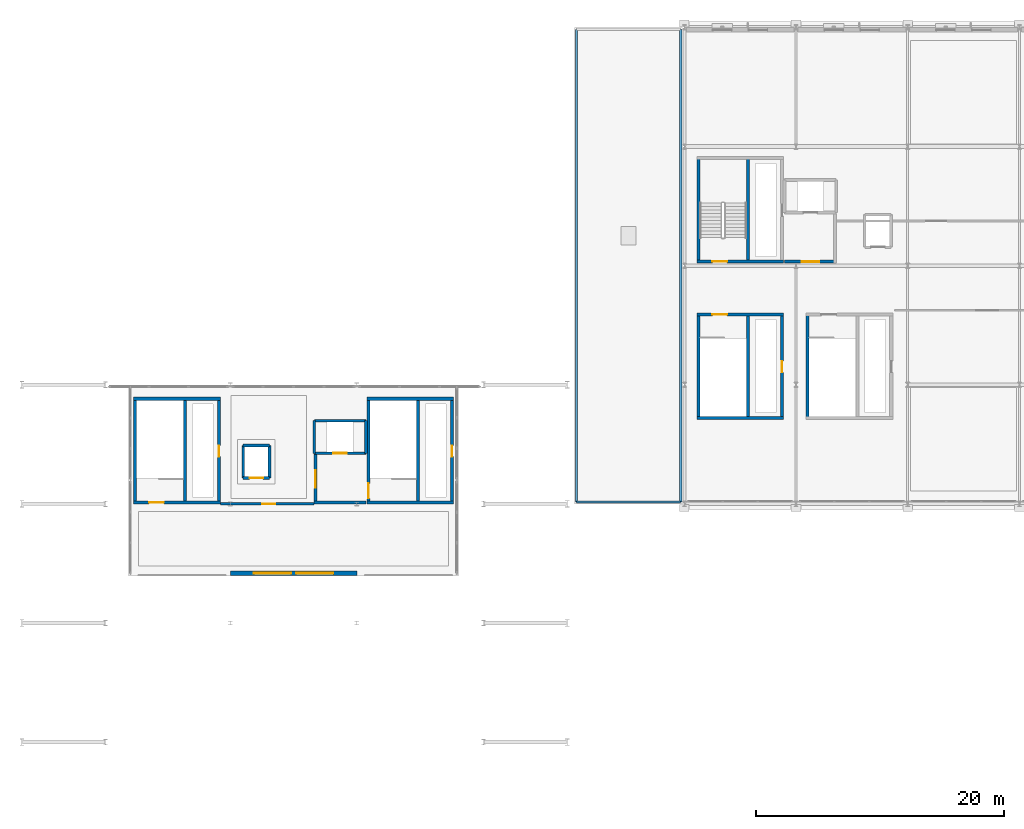
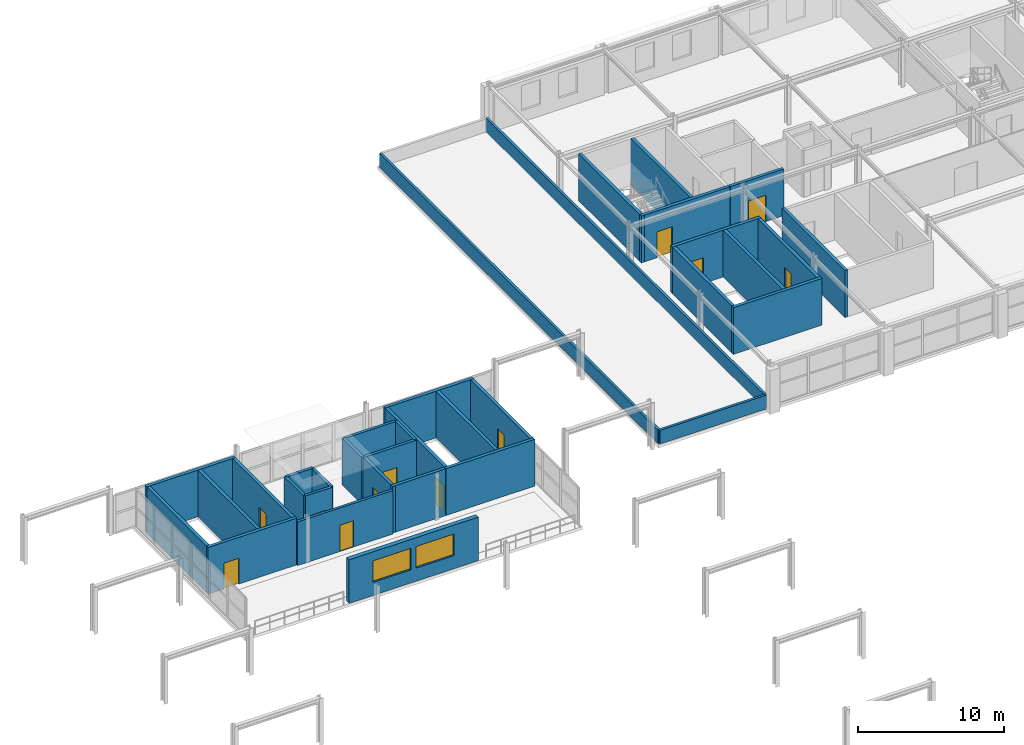
# One storey, part 37 of 52: 35 walls, 12 doors, 2 windows, 14 openings.
"""IFC4 building model written with IfcOpenShell, lengths in metres."""

import ifcopenshell
import ifcopenshell.guid

model = None  # the IFC model being written
_history = None  # IfcOwnerHistory: only IFC2X3 demands one
_inside = {}  # id of a spatial element -> (the spatial element, [elements in it])
_under = {}  # id of a project, library or spatial element -> (it, [spatial elements below it])
_declared = {}  # id of a project -> (the project, [libraries it declares])
_typed = {}  # id of a type object -> (the type object, [elements of that type])
_made_of = {}  # id of a material, layer set ... -> (it, [elements and type objects made of it])


def new_model(schema):
    """Start an empty IFC model of exactly this schema.

    Asked for "IFC4X3", IfcOpenShell would pick the latest addendum, in which some entities
    have other attributes; the version numbers below select the first issue.
    IFC2X3 requires an IfcOwnerHistory on every rooted entity: one is made here for all.
    """
    global model, _history
    if schema == "IFC4X3":
        model = ifcopenshell.file(schema_version=(4, 3, 0, 0))
    else:
        model = ifcopenshell.file(schema=schema)
    _inside.clear()
    _under.clear()
    _declared.clear()
    _typed.clear()
    _made_of.clear()
    _history = None
    if model.schema == "IFC2X3":
        org = make("IfcOrganization", Name="unknown")
        user = make(
            "IfcPersonAndOrganization",
            ThePerson=make("IfcPerson", FamilyName="unknown"),
            TheOrganization=org,
        )
        app = make(
            "IfcApplication",
            ApplicationDeveloper=org,
            Version="unknown",
            ApplicationFullName="unknown",
            ApplicationIdentifier="unknown",
        )
        _history = make(
            "IfcOwnerHistory",
            OwningUser=user,
            OwningApplication=app,
            ChangeAction="ADDED",
            CreationDate=0,
        )
    return model


def make(cls, **values):
    """One entity of the class cls with the attributes given. An attribute that is None is left unset."""
    return model.create_entity(
        cls, **{name: value for name, value in values.items() if value is not None}
    )


def rooted(cls, **values):
    """An entity with a GlobalId (a new one), such as an element, a storey or a relation."""
    return make(cls, GlobalId=ifcopenshell.guid.new(), OwnerHistory=_history, **values)


def si_unit(unit_type, name, prefix=None):
    """IfcSIUnit, for example si_unit("LENGTHUNIT", "METRE", prefix="MILLI")."""
    return make("IfcSIUnit", UnitType=unit_type, Prefix=prefix, Name=name)


def assignment(units):
    """IfcUnitAssignment: the units of a project."""
    return None if units is None else make("IfcUnitAssignment", Units=units)


def point(xyz):
    """IfcCartesianPoint."""
    return None if xyz is None else make("IfcCartesianPoint", Coordinates=xyz)


def direction(xyz):
    """IfcDirection."""
    return None if xyz is None else make("IfcDirection", DirectionRatios=xyz)


def frame(location, z_axis=None, x_axis=None):
    """IfcAxis2Placement3D, a coordinate frame: its origin and axes. An axis left out is left unset."""
    return make(
        "IfcAxis2Placement3D",
        Location=point(location),
        Axis=direction(z_axis),
        RefDirection=direction(x_axis),
    )


def frame_2d(location, x_axis=None):
    """IfcAxis2Placement2D, a coordinate frame in the plane: its origin and x axis."""
    return make(
        "IfcAxis2Placement2D", Location=point(location), RefDirection=direction(x_axis)
    )


def origin():
    """The frame at (0, 0, 0) with its axes left unset."""
    return frame((0.0, 0.0, 0.0))


def place(relative_to, where):
    """IfcLocalPlacement: puts the frame where relative to a parent placement (None: the world)."""
    return make(
        "IfcLocalPlacement", PlacementRelTo=relative_to, RelativePlacement=where
    )


def context(
    kind, dimensions, precision=None, world=None, true_north=None, identifier=None
):
    """IfcGeometricRepresentationContext, for example the 3D "Model" context."""
    return make(
        "IfcGeometricRepresentationContext",
        ContextIdentifier=identifier,
        ContextType=kind,
        CoordinateSpaceDimension=dimensions,
        Precision=precision,
        WorldCoordinateSystem=world,
        TrueNorth=true_north,
    )


def subcontext(parent, identifier, kind, view, scale=None):
    """IfcGeometricRepresentationSubContext, for example "Body" below "Model"."""
    return make(
        "IfcGeometricRepresentationSubContext",
        ContextIdentifier=identifier,
        ContextType=kind,
        ParentContext=parent,
        TargetScale=scale,
        TargetView=view,
    )


def project(units=None, contexts=None):
    """IfcProject with its units and contexts."""
    return rooted(
        "IfcProject",
        Name="project",
        RepresentationContexts=contexts,
        UnitsInContext=assignment(units),
    )


def spatial(cls, under=None, at=None, **own):
    """A site, building, storey or space (cls), placed at a placement, below another one or the project."""
    s = rooted(cls, ObjectPlacement=at, **own)
    if under is not None:
        _under.setdefault(under.id(), (under, []))[1].append(s)
    return s


def profile(cls, at=None, kind="AREA", **sizes):
    """A parametric profile (cls). Its sizes go by their IFC names, for example OverallWidth=200.0."""
    return make(cls, ProfileType=kind, Position=at, **sizes)


def rectangle(**sizes):
    """IfcRectangleProfileDef."""
    return profile("IfcRectangleProfileDef", **sizes)


def extrude(swept, where, along, depth):
    """IfcExtrudedAreaSolid: the profile swept, set in the frame where, extruded along a direction by depth."""
    return make(
        "IfcExtrudedAreaSolid",
        SweptArea=swept,
        Position=where,
        ExtrudedDirection=direction(along),
        Depth=depth,
    )


def shape(context_of_items, identifier, shape_type, items):
    """IfcShapeRepresentation: the items that make up one representation, for example the "Body"."""
    return make(
        "IfcShapeRepresentation",
        ContextOfItems=context_of_items,
        RepresentationIdentifier=identifier,
        RepresentationType=shape_type,
        Items=items,
    )


def material(Name=None, Category=None):
    """IfcMaterial."""
    return make("IfcMaterial", Name=Name, Category=Category)


def layer(
    of_material, thickness, ventilated=None, Name=None, Category=None, Priority=None
):
    """IfcMaterialLayer: one layer of a wall or slab, of a material (None: an air gap)."""
    return make(
        "IfcMaterialLayer",
        Material=of_material,
        LayerThickness=thickness,
        IsVentilated=ventilated,
        Name=Name,
        Category=Category,
        Priority=Priority,
    )


def layer_set(layers, Name=None):
    """IfcMaterialLayerSet."""
    return make("IfcMaterialLayerSet", MaterialLayers=layers, LayerSetName=Name)


def made_of(thing, what):
    """Note that an element or type object is made of a material, layer set ...; save() writes the relation."""
    if what is not None:
        _made_of.setdefault(what.id(), (what, []))[1].append(thing)
    return thing


def type_object(cls, material=None, **own):
    """A type object (cls), such as IfcWallType, which elements share."""
    return made_of(rooted(cls, **own), material)


def element(
    cls,
    number,
    at=None,
    inside=None,
    cuts=None,
    type_object=None,
    material=None,
    context=None,
    identifier="Body",
    shape_type=None,
    held_by="IfcProductDefinitionShape",
    body=None,
    shapes=None,
    **own,
):
    """One element of the class cls, such as IfcWall. Its Tag is "e" and its number.

    at: its placement. inside: the storey or other place that contains it. cuts: it is an
    opening in that element (IfcRelVoidsElement). A single representation is given by context,
    identifier, shape_type and body (its items); several are given by shapes. held_by: the class
    of the entity that holds the representations. save() writes the other relations.
    """
    e = rooted(cls, Tag="e%d" % number, ObjectPlacement=at, **own)
    if body is not None:
        shapes = [shape(context, identifier, shape_type, body)]
    if shapes is not None:
        e.Representation = make(held_by, Representations=shapes)
    if inside is not None:
        _inside.setdefault(inside.id(), (inside, []))[1].append(e)
    if cuts is not None:
        rooted(
            "IfcRelVoidsElement", RelatingBuildingElement=cuts, RelatedOpeningElement=e
        )
    if type_object is not None:
        _typed.setdefault(type_object.id(), (type_object, []))[1].append(e)
    return made_of(e, material)


def fill(opening, filler):
    """IfcRelFillsElement: the door or window that sits in an opening."""
    return rooted(
        "IfcRelFillsElement",
        RelatingOpeningElement=opening,
        RelatedBuildingElement=filler,
    )


def aggregate(whole, parts):
    """IfcRelAggregates: a whole, such as a stair, and the parts it consists of."""
    return rooted("IfcRelAggregates", RelatingObject=whole, RelatedObjects=parts)


def save(model, path):
    """Write the relations noted so far, then the file.

    IfcRelAggregates (storeys below a building ...), IfcRelContainedInSpatialStructure (elements
    in a storey), IfcRelDefinesByType, IfcRelAssociatesMaterial and IfcRelDeclares: one each for
    every whole, place, type object, material and project.
    """
    for whole, parts in _under.values():
        aggregate(whole, parts)
    for where, things in _inside.values():
        rooted(
            "IfcRelContainedInSpatialStructure",
            RelatedElements=things,
            RelatingStructure=where,
        )
    for kind, things in _typed.values():
        rooted("IfcRelDefinesByType", RelatedObjects=things, RelatingType=kind)
    for what, things in _made_of.values():
        rooted("IfcRelAssociatesMaterial", RelatedObjects=things, RelatingMaterial=what)
    for by, libraries in _declared.values():
        rooted("IfcRelDeclares", RelatingContext=by, RelatedDefinitions=libraries)
    model.write(path)


model = new_model("IFC4")

# Units and contexts
model_context = context("Model", 3, precision=1e-05, world=origin(), true_north=direction((0.0, 1.0)))
body_context = subcontext(model_context, "Body", "Model", "MODEL_VIEW")
ifc_project = project(units=[si_unit("LENGTHUNIT", "METRE"), si_unit("AREAUNIT", "SQUARE_METRE"), si_unit("VOLUMEUNIT", "CUBIC_METRE"), si_unit("PLANEANGLEUNIT", "RADIAN"), si_unit("MASSUNIT", "GRAM", prefix="KILO")], contexts=[model_context])

# Site, building, storey
site_placement = place(None, origin())
site = spatial("IfcSite", under=ifc_project, at=site_placement, CompositionType="ELEMENT")
building_placement = place(site_placement, origin())
building = spatial("IfcBuilding", under=site, at=building_placement, Name="Myrtia Square Station", CompositionType="ELEMENT")
storey_placement = place(building_placement, frame((0.0, 0.0, 15.0)))
storey = spatial("IfcBuildingStorey", under=building, at=storey_placement, Name="L03", CompositionType="ELEMENT", Elevation=15.0)

# Wall, opening, door
ifc_material_1 = material(Name="Concrete C35/45", Category="concrete")
ifc_layer_1 = layer(ifc_material_1, 0.25, Name="Concrete C35/45")
ifc_layer_set_1 = layer_set([ifc_layer_1], Name="Concrete C35/45")
wall_type_1 = type_object("IfcWallType", Name="WL-CORE-250", PredefinedType="SHEAR", material=ifc_layer_set_1)
wall_1_placement = place(storey_placement, frame((81.60009765625, 86.52490234375, 0.0), z_axis=(0.0, 0.0, 1.0), x_axis=(1.0, 0.0, 0.0)))
wall_1 = element("IfcWall", 1, at=wall_1_placement, inside=storey, type_object=wall_type_1, Name="Core K2 shear wall L03 S", PredefinedType="SHEAR", context=body_context, shape_type="SweptSolid", body=[
    extrude(rectangle(XDim=7.0, YDim=0.25, at=frame_2d((3.5, 0.0))), origin(), (0.0, 0.0, 1.0), 3.89990234375),
])
opening_1_placement = place(wall_1_placement, frame((1.25, 0.0, 0.0)))
opening_1 = element("IfcOpeningElement", 2, at=opening_1_placement, cuts=wall_1, Name="Opening SD-019", PredefinedType="OPENING", context=body_context, shape_type="SweptSolid", body=[
    extrude(rectangle(XDim=1.199951171875, YDim=2.14990234375, at=frame_2d((0.60009765625, 1.074951171875))), frame((0.0, 0.139892578125, 0.0), z_axis=(0.0, -1.0, 0.0), x_axis=(1.0, 0.0, 0.0)), (0.0, 0.0, 1.0), 0.280029296875),
])
ifc_material_2 = material(Name="Dark bronze anodised aluminium", Category="aluminium")
door_type_1 = type_object("IfcDoorType", Name="DR-STAIR-1200x2150", OperationType="NOTDEFINED", PredefinedType="DOOR", material=ifc_material_2)
door_1_placement = place(opening_1_placement, origin())
door_1 = element("IfcDoor", 3, at=door_1_placement, inside=storey, type_object=door_type_1, Name="Protected stair fire door K2 L03", OperationType="SINGLE_SWING_LEFT", OverallHeight=2.14990234375, OverallWidth=1.199951171875, PredefinedType="DOOR", context=body_context, shape_type="SweptSolid", body=[
    extrude(rectangle(XDim=1.199951171875, YDim=2.14990234375, at=frame_2d((0.60009765625, 1.074951171875))), frame((0.0, 0.02490234375, 0.0), z_axis=(0.0, -1.0, 0.0), x_axis=(1.0, 0.0, 0.0)), (0.0, 0.0, 1.0), 0.050048828125),
])
fill(opening_1, door_1)

# Walls
wall_2_placement = place(storey_placement, frame((81.60009765625, 94.875, 0.0), z_axis=(0.0, 0.0, 1.0), x_axis=(1.0, 0.0, 0.0)))
element("IfcWall", 4, at=wall_2_placement, inside=storey, type_object=wall_type_1, Name="Core K2 shear wall L03 N", PredefinedType="SHEAR", context=body_context, shape_type="SweptSolid", body=[
    extrude(rectangle(XDim=7.0, YDim=0.25, at=frame_2d((3.5, 0.0))), origin(), (0.0, 0.0, 1.0), 3.89990234375),
])
wall_3_placement = place(storey_placement, frame((81.72509765625, 86.39990234375, 0.0), z_axis=(0.0, 0.0, 1.0), x_axis=(0.0, 1.0, 0.0)))
element("IfcWall", 5, at=wall_3_placement, inside=storey, type_object=wall_type_1, Name="Core K2 shear wall L03 W", PredefinedType="SHEAR", context=body_context, shape_type="SweptSolid", body=[
    extrude(rectangle(XDim=8.60009765625, YDim=0.25, at=frame_2d((4.300048828125, 0.0))), origin(), (0.0, 0.0, 1.0), 3.89990234375),
])

# Wall, opening, door
wall_4_placement = place(storey_placement, frame((88.47509765625, 86.39990234375, 0.0), z_axis=(0.0, 0.0, 1.0), x_axis=(0.0, 1.0, 0.0)))
wall_4 = element("IfcWall", 6, at=wall_4_placement, inside=storey, type_object=wall_type_1, Name="Core K2 shear wall L03 E", PredefinedType="SHEAR", context=body_context, shape_type="SweptSolid", body=[
    extrude(rectangle(XDim=8.60009765625, YDim=0.25, at=frame_2d((4.300048828125, 0.0))), origin(), (0.0, 0.0, 1.0), 3.89990234375),
])
opening_2_placement = place(wall_4_placement, frame((3.800048828125, 0.0, 0.0)))
opening_2 = element("IfcOpeningElement", 7, at=opening_2_placement, cuts=wall_4, Name="Opening RD-020", PredefinedType="OPENING", context=body_context, shape_type="SweptSolid", body=[
    extrude(rectangle(XDim=0.89990234375, YDim=2.050048828125, at=frame_2d((0.449951171875, 1.02490234375))), frame((0.0, 0.139892578125, 0.0), z_axis=(0.0, -1.0, 0.0), x_axis=(1.0, 0.0, 0.0)), (0.0, 0.0, 1.0), 0.280029296875),
])
door_type_2 = type_object("IfcDoorType", Name="DR-RISER-900x2050", OperationType="NOTDEFINED", PredefinedType="DOOR", material=ifc_material_2)
door_2_placement = place(opening_2_placement, origin())
door_2 = element("IfcDoor", 8, at=door_2_placement, inside=storey, type_object=door_type_2, Name="Riser cupboard access door K2 L03", OperationType="SINGLE_SWING_RIGHT", OverallHeight=2.050048828125, OverallWidth=0.89990234375, PredefinedType="DOOR", context=body_context, shape_type="SweptSolid", body=[
    extrude(rectangle(XDim=0.89990234375, YDim=2.050048828125, at=frame_2d((0.449951171875, 1.02490234375))), frame((0.0, 0.02490234375, 0.0), z_axis=(0.0, -1.0, 0.0), x_axis=(1.0, 0.0, 0.0)), (0.0, 0.0, 1.0), 0.050048828125),
])
fill(opening_2, door_2)

# Walls
wall_5_placement = place(storey_placement, frame((85.739990234375, 86.60009765625, 0.0), z_axis=(0.0, 0.0, 1.0), x_axis=(0.0, 1.0, 0.0)))
element("IfcWall", 9, at=wall_5_placement, inside=storey, type_object=wall_type_1, Name="Core K2 shear wall L03 D", PredefinedType="SHEAR", context=body_context, shape_type="SweptSolid", body=[
    extrude(rectangle(XDim=8.199951171875, YDim=0.25, at=frame_2d((4.10009765625, 0.0))), origin(), (0.0, 0.0, 1.0), 3.89990234375),
])
for number, where, z_axis, x_axis, name in (
    (10, (100.39990234375, 86.52490234375, 0.0), (0.0, 0.0, 1.0), (1.0, 0.0, 0.0), "Core K4 shear wall L03 S"),
    (11, (100.39990234375, 94.875, 0.0), (0.0, 0.0, 1.0), (1.0, 0.0, 0.0), "Core K4 shear wall L03 N"),
):
    element("IfcWall", number, at=place(storey_placement, frame(where, z_axis=z_axis, x_axis=x_axis)), inside=storey, type_object=wall_type_1, Name=name, PredefinedType="SHEAR", context=body_context, shape_type="SweptSolid", body=[
        extrude(rectangle(XDim=7.0, YDim=0.25, at=frame_2d((3.5, 0.0))), origin(), (0.0, 0.0, 1.0), 3.89990234375),
    ])

# Wall, opening, door
wall_6_placement = place(storey_placement, frame((100.52490234375, 86.39990234375, 0.0), z_axis=(0.0, 0.0, 1.0), x_axis=(0.0, 1.0, 0.0)))
wall_6 = element("IfcWall", 12, at=wall_6_placement, inside=storey, type_object=wall_type_1, Name="Core K4 shear wall L03 W", PredefinedType="SHEAR", context=body_context, shape_type="SweptSolid", body=[
    extrude(rectangle(XDim=8.60009765625, YDim=0.25, at=frame_2d((4.300048828125, 0.0))), origin(), (0.0, 0.0, 1.0), 3.89990234375),
])
opening_3_placement = place(wall_6_placement, frame((0.449951171875, 0.0, 0.0)))
opening_3 = element("IfcOpeningElement", 13, at=opening_3_placement, cuts=wall_6, Name="Opening SD-048", PredefinedType="OPENING", context=body_context, shape_type="SweptSolid", body=[
    extrude(rectangle(XDim=1.199951171875, YDim=2.14990234375, at=frame_2d((0.60009765625, 1.074951171875))), frame((0.0, 0.139892578125, 0.0), z_axis=(0.0, -1.0, 0.0), x_axis=(1.0, 0.0, 0.0)), (0.0, 0.0, 1.0), 0.280029296875),
])
door_3_placement = place(opening_3_placement, frame((1.199951171875, 0.0, 0.0), z_axis=(0.0, 0.0, 1.0), x_axis=(-1.0, 0.0, 0.0)))
door_3 = element("IfcDoor", 14, at=door_3_placement, inside=storey, type_object=door_type_1, Name="Protected stair fire door K4 L03", OperationType="SINGLE_SWING_RIGHT", OverallHeight=2.14990234375, OverallWidth=1.199951171875, PredefinedType="DOOR", context=body_context, shape_type="SweptSolid", body=[
    extrude(rectangle(XDim=1.199951171875, YDim=2.14990234375, at=frame_2d((0.60009765625, 1.074951171875))), frame((0.0, 0.02490234375, 0.0), z_axis=(0.0, -1.0, 0.0), x_axis=(1.0, 0.0, 0.0)), (0.0, 0.0, 1.0), 0.050048828125),
])
fill(opening_3, door_3)

wall_7_placement = place(storey_placement, frame((107.27490234375, 86.39990234375, 0.0), z_axis=(0.0, 0.0, 1.0), x_axis=(0.0, 1.0, 0.0)))
wall_7 = element("IfcWall", 15, at=wall_7_placement, inside=storey, type_object=wall_type_1, Name="Core K4 shear wall L03 E", PredefinedType="SHEAR", context=body_context, shape_type="SweptSolid", body=[
    extrude(rectangle(XDim=8.60009765625, YDim=0.25, at=frame_2d((4.300048828125, 0.0))), origin(), (0.0, 0.0, 1.0), 3.89990234375),
])
opening_4_placement = place(wall_7_placement, frame((3.800048828125, 0.0, 0.0)))
opening_4 = element("IfcOpeningElement", 16, at=opening_4_placement, cuts=wall_7, Name="Opening RD-049", PredefinedType="OPENING", context=body_context, shape_type="SweptSolid", body=[
    extrude(rectangle(XDim=0.89990234375, YDim=2.050048828125, at=frame_2d((0.449951171875, 1.02490234375))), frame((0.0, 0.139892578125, 0.0), z_axis=(0.0, -1.0, 0.0), x_axis=(1.0, 0.0, 0.0)), (0.0, 0.0, 1.0), 0.280029296875),
])
door_4_placement = place(opening_4_placement, origin())
door_4 = element("IfcDoor", 17, at=door_4_placement, inside=storey, type_object=door_type_2, Name="Riser cupboard access door K4 L03", OperationType="SINGLE_SWING_LEFT", OverallHeight=2.050048828125, OverallWidth=0.89990234375, PredefinedType="DOOR", context=body_context, shape_type="SweptSolid", body=[
    extrude(rectangle(XDim=0.89990234375, YDim=2.050048828125, at=frame_2d((0.449951171875, 1.02490234375))), frame((0.0, 0.02490234375, 0.0), z_axis=(0.0, -1.0, 0.0), x_axis=(1.0, 0.0, 0.0)), (0.0, 0.0, 1.0), 0.050048828125),
])
fill(opening_4, door_4)

# Wall
wall_8_placement = place(storey_placement, frame((104.5400390625, 86.60009765625, 0.0), z_axis=(0.0, 0.0, 1.0), x_axis=(0.0, 1.0, 0.0)))
element("IfcWall", 18, at=wall_8_placement, inside=storey, type_object=wall_type_1, Name="Core K4 shear wall L03 D", PredefinedType="SHEAR", context=body_context, shape_type="SweptSolid", body=[
    extrude(rectangle(XDim=8.199951171875, YDim=0.25, at=frame_2d((4.10009765625, 0.0))), origin(), (0.0, 0.0, 1.0), 3.89990234375),
])

# Wall, opening, door
wall_9_placement = place(storey_placement, frame((127.0, 105.925048828125, 0.0), z_axis=(0.0, 0.0, 1.0), x_axis=(1.0, 0.0, 0.0)))
wall_9 = element("IfcWall", 19, at=wall_9_placement, inside=storey, type_object=wall_type_1, Name="Core K7 shear wall L03 S", PredefinedType="SHEAR", context=body_context, shape_type="SweptSolid", body=[
    extrude(rectangle(XDim=7.0, YDim=0.25, at=frame_2d((3.5, 0.0))), origin(), (0.0, 0.0, 1.0), 3.89990234375),
])
opening_5_placement = place(wall_9_placement, frame((1.25, 0.0, 0.0)))
opening_5 = element("IfcOpeningElement", 20, at=opening_5_placement, cuts=wall_9, Name="Opening SD-119", PredefinedType="OPENING", context=body_context, shape_type="SweptSolid", body=[
    extrude(rectangle(XDim=1.199951171875, YDim=2.14990234375, at=frame_2d((0.60009765625, 1.074951171875))), frame((0.0, 0.139892578125, 0.0), z_axis=(0.0, -1.0, 0.0), x_axis=(1.0, 0.0, 0.0)), (0.0, 0.0, 1.0), 0.280029296875),
])
door_5_placement = place(opening_5_placement, origin())
door_5 = element("IfcDoor", 21, at=door_5_placement, inside=storey, type_object=door_type_1, Name="Protected stair fire door K7 L03", OperationType="SINGLE_SWING_LEFT", OverallHeight=2.14990234375, OverallWidth=1.199951171875, PredefinedType="DOOR", context=body_context, shape_type="SweptSolid", body=[
    extrude(rectangle(XDim=1.199951171875, YDim=2.14990234375, at=frame_2d((0.60009765625, 1.074951171875))), frame((0.0, 0.02490234375, 0.0), z_axis=(0.0, -1.0, 0.0), x_axis=(1.0, 0.0, 0.0)), (0.0, 0.0, 1.0), 0.050048828125),
])
fill(opening_5, door_5)

# Walls
wall_10_placement = place(storey_placement, frame((127.125, 105.800048828125, 0.0), z_axis=(0.0, 0.0, 1.0), x_axis=(0.0, 1.0, 0.0)))
element("IfcWall", 22, at=wall_10_placement, inside=storey, type_object=wall_type_1, Name="Core K7 shear wall L03 W", PredefinedType="SHEAR", context=body_context, shape_type="SweptSolid", body=[
    extrude(rectangle(XDim=8.599853515625, YDim=0.25, at=frame_2d((4.2998046875, 0.0))), origin(), (0.0, 0.0, 1.0), 3.89990234375),
])
wall_11_placement = place(storey_placement, frame((131.139892578125, 106.0, 0.0), z_axis=(0.0, 0.0, 1.0), x_axis=(0.0, 1.0, 0.0)))
element("IfcWall", 23, at=wall_11_placement, inside=storey, type_object=wall_type_1, Name="Core K7 shear wall L03 D", PredefinedType="SHEAR", context=body_context, shape_type="SweptSolid", body=[
    extrude(rectangle(XDim=8.199951171875, YDim=0.25, at=frame_2d((4.10009765625, 0.0))), origin(), (0.0, 0.0, 1.0), 3.89990234375),
])
wall_12_placement = place(storey_placement, frame((127.0, 93.324951171875, 0.0), z_axis=(0.0, 0.0, 1.0), x_axis=(1.0, 0.0, 0.0)))
element("IfcWall", 24, at=wall_12_placement, inside=storey, type_object=wall_type_1, Name="Core K12 shear wall L03 S", PredefinedType="SHEAR", context=body_context, shape_type="SweptSolid", body=[
    extrude(rectangle(XDim=7.0, YDim=0.25, at=frame_2d((3.5, 0.0))), origin(), (0.0, 0.0, 1.0), 3.89990234375),
])

# Wall, opening, door
wall_13_placement = place(storey_placement, frame((127.0, 101.675048828125, 0.0), z_axis=(0.0, 0.0, 1.0), x_axis=(1.0, 0.0, 0.0)))
wall_13 = element("IfcWall", 25, at=wall_13_placement, inside=storey, type_object=wall_type_1, Name="Core K12 shear wall L03 N", PredefinedType="SHEAR", context=body_context, shape_type="SweptSolid", body=[
    extrude(rectangle(XDim=7.0, YDim=0.25, at=frame_2d((3.5, 0.0))), origin(), (0.0, 0.0, 1.0), 3.89990234375),
])
opening_6_placement = place(wall_13_placement, frame((1.25, 0.0, 0.0)))
opening_6 = element("IfcOpeningElement", 26, at=opening_6_placement, cuts=wall_13, Name="Opening SD-151", PredefinedType="OPENING", context=body_context, shape_type="SweptSolid", body=[
    extrude(rectangle(XDim=1.199951171875, YDim=2.14990234375, at=frame_2d((0.60009765625, 1.074951171875))), frame((0.0, 0.139892578125, 0.0), z_axis=(0.0, -1.0, 0.0), x_axis=(1.0, 0.0, 0.0)), (0.0, 0.0, 1.0), 0.280029296875),
])
door_6_placement = place(opening_6_placement, frame((1.199951171875, 0.0, 0.0), z_axis=(0.0, 0.0, 1.0), x_axis=(-1.0, 0.0, 0.0)))
door_6 = element("IfcDoor", 27, at=door_6_placement, inside=storey, type_object=door_type_1, Name="Protected stair fire door K12 L03", OperationType="SINGLE_SWING_LEFT", OverallHeight=2.14990234375, OverallWidth=1.199951171875, PredefinedType="DOOR", context=body_context, shape_type="SweptSolid", body=[
    extrude(rectangle(XDim=1.199951171875, YDim=2.14990234375, at=frame_2d((0.60009765625, 1.074951171875))), frame((0.0, 0.02490234375, 0.0), z_axis=(0.0, -1.0, 0.0), x_axis=(1.0, 0.0, 0.0)), (0.0, 0.0, 1.0), 0.050048828125),
])
fill(opening_6, door_6)

# Wall
wall_14_placement = place(storey_placement, frame((127.125, 93.199951171875, 0.0), z_axis=(0.0, 0.0, 1.0), x_axis=(0.0, 1.0, 0.0)))
element("IfcWall", 28, at=wall_14_placement, inside=storey, type_object=wall_type_1, Name="Core K12 shear wall L03 W", PredefinedType="SHEAR", context=body_context, shape_type="SweptSolid", body=[
    extrude(rectangle(XDim=8.60009765625, YDim=0.25, at=frame_2d((4.300048828125, 0.0))), origin(), (0.0, 0.0, 1.0), 3.89990234375),
])

# Wall, opening, door
wall_15_placement = place(storey_placement, frame((133.875, 93.199951171875, 0.0), z_axis=(0.0, 0.0, 1.0), x_axis=(0.0, 1.0, 0.0)))
wall_15 = element("IfcWall", 29, at=wall_15_placement, inside=storey, type_object=wall_type_1, Name="Core K12 shear wall L03 E", PredefinedType="SHEAR", context=body_context, shape_type="SweptSolid", body=[
    extrude(rectangle(XDim=8.60009765625, YDim=0.25, at=frame_2d((4.300048828125, 0.0))), origin(), (0.0, 0.0, 1.0), 3.89990234375),
])
opening_7_placement = place(wall_15_placement, frame((3.800048828125, 0.0, 0.0)))
opening_7 = element("IfcOpeningElement", 30, at=opening_7_placement, cuts=wall_15, Name="Opening RD-152", PredefinedType="OPENING", context=body_context, shape_type="SweptSolid", body=[
    extrude(rectangle(XDim=0.89990234375, YDim=2.050048828125, at=frame_2d((0.449951171875, 1.02490234375))), frame((0.0, 0.139892578125, 0.0), z_axis=(0.0, -1.0, 0.0), x_axis=(1.0, 0.0, 0.0)), (0.0, 0.0, 1.0), 0.280029296875),
])
door_7_placement = place(opening_7_placement, origin())
door_7 = element("IfcDoor", 31, at=door_7_placement, inside=storey, type_object=door_type_2, Name="Riser cupboard access door K12 L03", OperationType="SINGLE_SWING_RIGHT", OverallHeight=2.050048828125, OverallWidth=0.89990234375, PredefinedType="DOOR", context=body_context, shape_type="SweptSolid", body=[
    extrude(rectangle(XDim=0.89990234375, YDim=2.050048828125, at=frame_2d((0.449951171875, 1.02490234375))), frame((0.0, 0.02490234375, 0.0), z_axis=(0.0, -1.0, 0.0), x_axis=(1.0, 0.0, 0.0)), (0.0, 0.0, 1.0), 0.050048828125),
])
fill(opening_7, door_7)

# Walls
wall_16_placement = place(storey_placement, frame((131.139892578125, 93.39990234375, 0.0), z_axis=(0.0, 0.0, 1.0), x_axis=(0.0, 1.0, 0.0)))
element("IfcWall", 32, at=wall_16_placement, inside=storey, type_object=wall_type_1, Name="Core K12 shear wall L03 D", PredefinedType="SHEAR", context=body_context, shape_type="SweptSolid", body=[
    extrude(rectangle(XDim=8.2001953125, YDim=0.25, at=frame_2d((4.10009765625, 0.0))), origin(), (0.0, 0.0, 1.0), 3.89990234375),
])
wall_17_placement = place(storey_placement, frame((135.925048828125, 93.199951171875, 0.0), z_axis=(0.0, 0.0, 1.0), x_axis=(0.0, 1.0, 0.0)))
element("IfcWall", 33, at=wall_17_placement, inside=storey, type_object=wall_type_1, Name="Core K13 shear wall L03 W", PredefinedType="SHEAR", context=body_context, shape_type="SweptSolid", body=[
    extrude(rectangle(XDim=8.60009765625, YDim=0.25, at=frame_2d((4.300048828125, 0.0))), origin(), (0.0, 0.0, 1.0), 3.89990234375),
])

# Wall, openings, windows
ifc_material_3 = material(Name="Cream lime stucco on clay brick masonry", Category="masonry")
ifc_layer_2 = layer(ifc_material_3, 0.340087890625, Name="Cream lime stucco on clay brick masonry")
ifc_layer_set_2 = layer_set([ifc_layer_2], Name="Cream lime stucco on clay brick masonry")
wall_type_2 = type_object("IfcWallType", Name="WL-EXT-STUCCO-340", PredefinedType="SOLIDWALL", material=ifc_layer_set_2)
wall_18_placement = place(storey_placement, frame((89.39990234375, 80.800048828125, 0.0), z_axis=(0.0, 0.0, 1.0), x_axis=(1.0, 0.0, 0.0)))
wall_18 = element("IfcWall", 34, at=wall_18_placement, inside=storey, type_object=wall_type_2, Name="Exterior envelope wall EW-L03-0016", PredefinedType="SOLIDWALL", context=body_context, shape_type="SweptSolid", body=[
    extrude(rectangle(XDim=10.2001953125, YDim=0.340087890625, at=frame_2d((5.10009765625, 0.0))), origin(), (0.0, 0.0, 1.0), 3.639892578125),
])
opening_8_placement = place(wall_18_placement, frame((1.89990234375, 0.0, 1.10009765625)))
opening_8 = element("IfcOpeningElement", 35, at=opening_8_placement, cuts=wall_18, Name="Opening WN-007", PredefinedType="OPENING", context=body_context, shape_type="SweptSolid", body=[
    extrude(rectangle(XDim=3.0, YDim=1.800048828125, at=frame_2d((1.5, 0.89990234375))), frame((0.0, 0.18505859375, 0.0), z_axis=(0.0, -1.0, 0.0), x_axis=(1.0, 0.0, 0.0)), (0.0, 0.0, 1.0), 0.3701171875),
])
opening_9_placement = place(wall_18_placement, frame((5.300048828125, 0.0, 1.10009765625)))
opening_9 = element("IfcOpeningElement", 36, at=opening_9_placement, cuts=wall_18, Name="Opening WN-008", PredefinedType="OPENING", context=body_context, shape_type="SweptSolid", body=[
    extrude(rectangle(XDim=3.0, YDim=1.800048828125, at=frame_2d((1.5, 0.89990234375))), frame((0.0, 0.18505859375, 0.0), z_axis=(0.0, -1.0, 0.0), x_axis=(1.0, 0.0, 0.0)), (0.0, 0.0, 1.0), 0.3701171875),
])
ifc_material_4 = material(Name="Tinted low-E solar control glass", Category="glass")
window_type = type_object("IfcWindowType", Name="WN-CLER-3000x1800", PartitioningType="SINGLE_PANEL", PredefinedType="WINDOW", material=ifc_material_4)
window_1_placement = place(opening_8_placement, origin())
window_1 = element("IfcWindow", 37, at=window_1_placement, inside=storey, type_object=window_type, Name="Window WN-007", OverallHeight=1.800048828125, OverallWidth=3.0, PartitioningType="SINGLE_PANEL", PredefinedType="WINDOW", context=body_context, shape_type="SweptSolid", body=[
    extrude(rectangle(XDim=3.0, YDim=1.800048828125, at=frame_2d((1.5, 0.89990234375))), frame((0.0, 0.030029296875, 0.0), z_axis=(0.0, -1.0, 0.0), x_axis=(1.0, 0.0, 0.0)), (0.0, 0.0, 1.0), 0.06005859375),
])
fill(opening_8, window_1)
window_2_placement = place(opening_9_placement, origin())
window_2 = element("IfcWindow", 38, at=window_2_placement, inside=storey, type_object=window_type, Name="Window WN-008", OverallHeight=1.800048828125, OverallWidth=3.0, PartitioningType="SINGLE_PANEL", PredefinedType="WINDOW", context=body_context, shape_type="SweptSolid", body=[
    extrude(rectangle(XDim=3.0, YDim=1.800048828125, at=frame_2d((1.5, 0.89990234375))), frame((0.0, 0.030029296875, 0.0), z_axis=(0.0, -1.0, 0.0), x_axis=(1.0, 0.0, 0.0)), (0.0, 0.0, 1.0), 0.06005859375),
])
fill(opening_9, window_2)

# Wall, opening, door
ifc_layer_3 = layer(ifc_material_1, 0.239990234375, Name="Concrete C35/45")
ifc_layer_set_3 = layer_set([ifc_layer_3], Name="Concrete C35/45")
wall_type_3 = type_object("IfcWallType", Name="WL-FFL-240", PredefinedType="SHEAR", material=ifc_layer_set_3)
wall_19_placement = place(storey_placement, frame((96.27001953125, 86.39990234375, 0.0), z_axis=(0.0, 0.0, 1.0), x_axis=(0.0, 1.0, 0.0)))
wall_19 = element("IfcWall", 39, at=wall_19_placement, inside=storey, type_object=wall_type_3, Name="Firefighting lift lobby EI 120 wall K4 L03 W", PredefinedType="SHEAR", context=body_context, shape_type="SweptSolid", body=[
    extrude(rectangle(XDim=4.0, YDim=0.239990234375, at=frame_2d((2.0, 0.0))), origin(), (0.0, 0.0, 1.0), 3.89990234375),
])
opening_10_placement = place(wall_19_placement, frame((1.300048828125, 0.0, 0.0)))
opening_10 = element("IfcOpeningElement", 40, at=opening_10_placement, cuts=wall_19, Name="Opening FD-050", PredefinedType="OPENING", context=body_context, shape_type="SweptSolid", body=[
    extrude(rectangle(XDim=1.39990234375, YDim=2.199951171875, at=frame_2d((0.699951171875, 1.10009765625))), frame((0.0, 0.135009765625, 0.0), z_axis=(0.0, -1.0, 0.0), x_axis=(1.0, 0.0, 0.0)), (0.0, 0.0, 1.0), 0.27001953125),
])
door_type_3 = type_object("IfcDoorType", Name="DR-FFL-1400x2200", OperationType="NOTDEFINED", PredefinedType="DOOR", material=ifc_material_2)
door_8_placement = place(opening_10_placement, origin())
door_8 = element("IfcDoor", 41, at=door_8_placement, inside=storey, type_object=door_type_3, Name="Firefighting lobby fire door K4 L03", OperationType="SINGLE_SWING_RIGHT", OverallHeight=2.199951171875, OverallWidth=1.39990234375, PredefinedType="DOOR", context=body_context, shape_type="SweptSolid", body=[
    extrude(rectangle(XDim=1.39990234375, YDim=2.199951171875, at=frame_2d((0.699951171875, 1.10009765625))), frame((0.0, 0.02490234375, 0.0), z_axis=(0.0, -1.0, 0.0), x_axis=(1.0, 0.0, 0.0)), (0.0, 0.0, 1.0), 0.050048828125),
])
fill(opening_10, door_8)

# Wall
wall_20_placement = place(storey_placement, frame((96.14990234375, 86.52001953125, 0.0), z_axis=(0.0, 0.0, 1.0), x_axis=(1.0, 0.0, 0.0)))
element("IfcWall", 42, at=wall_20_placement, inside=storey, type_object=wall_type_3, Name="Firefighting lift lobby EI 120 wall K4 L03 S", PredefinedType="SHEAR", context=body_context, shape_type="SweptSolid", body=[
    extrude(rectangle(XDim=4.2001953125, YDim=0.239990234375, at=frame_2d((2.10009765625, 0.0))), origin(), (0.0, 0.0, 1.0), 3.89990234375),
])

# Wall, opening, door
wall_21_placement = place(storey_placement, frame((134.050048828125, 105.919921875, 0.0), z_axis=(0.0, 0.0, 1.0), x_axis=(1.0, 0.0, 0.0)))
wall_21 = element("IfcWall", 43, at=wall_21_placement, inside=storey, type_object=wall_type_3, Name="Firefighting lift lobby EI 120 wall K7 L03 S", PredefinedType="SHEAR", context=body_context, shape_type="SweptSolid", body=[
    extrude(rectangle(XDim=4.199951171875, YDim=0.239990234375, at=frame_2d((2.10009765625, 0.0))), origin(), (0.0, 0.0, 1.0), 3.89990234375),
])
opening_11_placement = place(wall_21_placement, frame((1.39990234375, 0.0, 0.0)))
opening_11 = element("IfcOpeningElement", 44, at=opening_11_placement, cuts=wall_21, Name="Opening FD-121", PredefinedType="OPENING", context=body_context, shape_type="SweptSolid", body=[
    extrude(rectangle(XDim=1.39990234375, YDim=2.199951171875, at=frame_2d((0.699951171875, 1.10009765625))), frame((0.0, 0.135009765625, 0.0), z_axis=(0.0, -1.0, 0.0), x_axis=(1.0, 0.0, 0.0)), (0.0, 0.0, 1.0), 0.27001953125),
])
door_9_placement = place(opening_11_placement, frame((1.39990234375, 0.0, 0.0), z_axis=(0.0, 0.0, 1.0), x_axis=(-1.0, 0.0, 0.0)))
door_9 = element("IfcDoor", 45, at=door_9_placement, inside=storey, type_object=door_type_3, Name="Firefighting lobby fire door K7 L03", OperationType="SINGLE_SWING_LEFT", OverallHeight=2.199951171875, OverallWidth=1.39990234375, PredefinedType="DOOR", context=body_context, shape_type="SweptSolid", body=[
    extrude(rectangle(XDim=1.39990234375, YDim=2.199951171875, at=frame_2d((0.699951171875, 1.10009765625))), frame((0.0, 0.02490234375, 0.0), z_axis=(0.0, -1.0, 0.0), x_axis=(1.0, 0.0, 0.0)), (0.0, 0.0, 1.0), 0.050048828125),
])
fill(opening_11, door_9)

ifc_layer_4 = layer(ifc_material_1, 0.219970703125, Name="Concrete C35/45")
ifc_layer_set_4 = layer_set([ifc_layer_4], Name="Concrete C35/45")
wall_type_4 = type_object("IfcWallType", Name="WL-LIFT-220", PredefinedType="SHEAR", material=ifc_layer_set_4)
wall_22_placement = place(storey_placement, frame((90.43994140625, 88.489990234375, 0.0), z_axis=(0.0, 0.0, 1.0), x_axis=(1.0, 0.0, 0.0)))
wall_22 = element("IfcWall", 46, at=wall_22_placement, inside=storey, type_object=wall_type_4, Name="Lift shaft wall PL-06 L03 -Y", PredefinedType="SHEAR", context=body_context, shape_type="SweptSolid", body=[
    extrude(rectangle(XDim=2.1201171875, YDim=0.219970703125, at=frame_2d((1.06005859375, 0.0))), origin(), (0.0, 0.0, 1.0), 3.89990234375),
])
opening_12_placement = place(wall_22_placement, frame((0.510009765625, 0.0, 0.0)))
opening_12 = element("IfcOpeningElement", 47, at=opening_12_placement, cuts=wall_22, Name="Opening LD-PL-06", PredefinedType="OPENING", context=body_context, shape_type="SweptSolid", body=[
    extrude(rectangle(XDim=1.10009765625, YDim=2.14990234375, at=frame_2d((0.550048828125, 1.074951171875))), frame((0.0, 0.125, 0.0), z_axis=(0.0, -1.0, 0.0), x_axis=(1.0, 0.0, 0.0)), (0.0, 0.0, 1.0), 0.25),
])
door_type_4 = type_object("IfcDoorType", Name="DR-LIFT-1100x2150", OperationType="NOTDEFINED", PredefinedType="DOOR", material=ifc_material_2)
door_10_placement = place(opening_12_placement, origin())
door_10 = element("IfcDoor", 48, at=door_10_placement, inside=storey, type_object=door_type_4, Name="Lift landing door PL-06 L03", OperationType="SLIDING_TO_RIGHT", OverallHeight=2.14990234375, OverallWidth=1.10009765625, PredefinedType="DOOR", context=body_context, shape_type="SweptSolid", body=[
    extrude(rectangle(XDim=1.10009765625, YDim=2.14990234375, at=frame_2d((0.550048828125, 1.074951171875))), frame((0.0, 0.02490234375, 0.0), z_axis=(0.0, -1.0, 0.0), x_axis=(1.0, 0.0, 0.0)), (0.0, 0.0, 1.0), 0.050048828125),
])
fill(opening_12, door_10)

# Walls
wall_23_placement = place(storey_placement, frame((90.43994140625, 91.110107421875, 0.0), z_axis=(0.0, 0.0, 1.0), x_axis=(1.0, 0.0, 0.0)))
element("IfcWall", 49, at=wall_23_placement, inside=storey, type_object=wall_type_4, Name="Lift shaft wall PL-06 L03 +Y", PredefinedType="SHEAR", context=body_context, shape_type="SweptSolid", body=[
    extrude(rectangle(XDim=2.1201171875, YDim=0.219970703125, at=frame_2d((1.06005859375, 0.0))), origin(), (0.0, 0.0, 1.0), 3.89990234375),
])
for number, where, z_axis, x_axis, name in (
    (50, (90.43994140625, 88.489990234375, 0.0), (0.0, 0.0, 1.0), (0.0, 1.0, 0.0), "Lift shaft wall PL-06 L03 -X"),
    (51, (92.56005859375, 88.489990234375, 0.0), (0.0, 0.0, 1.0), (0.0, 1.0, 0.0), "Lift shaft wall PL-06 L03 +X"),
):
    element("IfcWall", number, at=place(storey_placement, frame(where, z_axis=z_axis, x_axis=x_axis)), inside=storey, type_object=wall_type_4, Name=name, PredefinedType="SHEAR", context=body_context, shape_type="SweptSolid", body=[
        extrude(rectangle(XDim=2.6201171875, YDim=0.219970703125, at=frame_2d((1.31005859375, 0.0))), origin(), (0.0, 0.0, 1.0), 3.89990234375),
    ])

# Wall, opening, door
wall_24_placement = place(storey_placement, frame((96.169921875, 90.47998046875, 0.0), z_axis=(0.0, 0.0, 1.0), x_axis=(1.0, 0.0, 0.0)))
wall_24 = element("IfcWall", 52, at=wall_24_placement, inside=storey, type_object=wall_type_4, Name="Lift shaft wall FFL-02 L03 -Y", PredefinedType="SHEAR", context=body_context, shape_type="SweptSolid", body=[
    extrude(rectangle(XDim=4.16015625, YDim=0.219970703125, at=frame_2d((2.080078125, 0.0))), origin(), (0.0, 0.0, 1.0), 3.89990234375),
])
opening_13_placement = place(wall_24_placement, frame((1.530029296875, 0.0, 0.0)))
opening_13 = element("IfcOpeningElement", 53, at=opening_13_placement, cuts=wall_24, Name="Opening LD-FFL-02", PredefinedType="OPENING", context=body_context, shape_type="SweptSolid", body=[
    extrude(rectangle(XDim=1.10009765625, YDim=2.14990234375, at=frame_2d((0.550048828125, 1.074951171875))), frame((0.0, 0.125, 0.0), z_axis=(0.0, -1.0, 0.0), x_axis=(1.0, 0.0, 0.0)), (0.0, 0.0, 1.0), 0.25),
])
door_11_placement = place(opening_13_placement, origin())
door_11 = element("IfcDoor", 54, at=door_11_placement, inside=storey, type_object=door_type_4, Name="Lift landing door FFL-02 L03", OperationType="SLIDING_TO_LEFT", OverallHeight=2.14990234375, OverallWidth=1.10009765625, PredefinedType="DOOR", context=body_context, shape_type="SweptSolid", body=[
    extrude(rectangle(XDim=1.10009765625, YDim=2.14990234375, at=frame_2d((0.550048828125, 1.074951171875))), frame((0.0, 0.02490234375, 0.0), z_axis=(0.0, -1.0, 0.0), x_axis=(1.0, 0.0, 0.0)), (0.0, 0.0, 1.0), 0.050048828125),
])
fill(opening_13, door_11)

# Walls
wall_25_placement = place(storey_placement, frame((96.169921875, 93.10009765625, 0.0), z_axis=(0.0, 0.0, 1.0), x_axis=(1.0, 0.0, 0.0)))
element("IfcWall", 55, at=wall_25_placement, inside=storey, type_object=wall_type_4, Name="Lift shaft wall FFL-02 L03 +Y", PredefinedType="SHEAR", context=body_context, shape_type="SweptSolid", body=[
    extrude(rectangle(XDim=4.16015625, YDim=0.219970703125, at=frame_2d((2.080078125, 0.0))), origin(), (0.0, 0.0, 1.0), 3.89990234375),
])
for number, where, z_axis, x_axis, name in (
    (56, (96.169921875, 90.47998046875, 0.0), (0.0, 0.0, 1.0), (0.0, 1.0, 0.0), "Lift shaft wall FFL-02 L03 -X"),
    (57, (100.330078125, 90.47998046875, 0.0), (0.0, 0.0, 1.0), (0.0, 1.0, 0.0), "Lift shaft wall FFL-02 L03 +X"),
):
    element("IfcWall", number, at=place(storey_placement, frame(where, z_axis=z_axis, x_axis=x_axis)), inside=storey, type_object=wall_type_4, Name=name, PredefinedType="SHEAR", context=body_context, shape_type="SweptSolid", body=[
        extrude(rectangle(XDim=2.6201171875, YDim=0.219970703125, at=frame_2d((1.31005859375, 0.0))), origin(), (0.0, 0.0, 1.0), 3.89990234375),
    ])
ifc_material_5 = material(Name="Precast concrete C40/50", Category="concrete")
ifc_layer_5 = layer(ifc_material_5, 0.18994140625, Name="Precast concrete C40/50")
ifc_layer_set_5 = layer_set([ifc_layer_5], Name="Precast concrete C40/50")
wall_type_5 = type_object("IfcWallType", Name="WL-PAR-RC-190", PredefinedType="PARAPET", material=ifc_layer_set_5)
wall_26_placement = place(storey_placement, frame((117.300048828125, 86.550048828125, 0.0), z_axis=(0.0, 0.0, 1.0), x_axis=(1.0, 0.0, 0.0)))
element("IfcWall", 58, at=wall_26_placement, inside=storey, type_object=wall_type_5, Name="Spanish Mission roof parapet 029", PredefinedType="PARAPET", context=body_context, shape_type="SweptSolid", body=[
    extrude(rectangle(XDim=8.39990234375, YDim=0.18994140625, at=frame_2d((4.199951171875, 0.0))), origin(), (0.0, 0.0, 1.0), 1.14990234375),
])
for number, where, z_axis, x_axis, name in (
    (59, (125.699951171875, 86.550048828125, 0.0), (0.0, 0.0, 1.0), (0.0, 1.0, 0.0), "Spanish Mission roof parapet 030"),
    (60, (117.300048828125, 124.64990234375, 0.0), (0.0, 0.0, 1.0), (0.0, -1.0, 0.0), "Spanish Mission roof parapet 032"),
):
    element("IfcWall", number, at=place(storey_placement, frame(where, z_axis=z_axis, x_axis=x_axis)), inside=storey, type_object=wall_type_5, Name=name, PredefinedType="PARAPET", context=body_context, shape_type="SweptSolid", body=[
        extrude(rectangle(XDim=38.099853515625, YDim=0.18994140625, at=frame_2d((19.0498046875, 0.0))), origin(), (0.0, 0.0, 1.0), 1.14990234375),
    ])

# Wall, opening, door
ifc_layer_6 = layer(ifc_material_3, 0.199951171875, Name="Cream lime stucco on clay brick masonry")
ifc_layer_set_6 = layer_set([ifc_layer_6], Name="Cream lime stucco on clay brick masonry")
wall_type_6 = type_object("IfcWallType", Name="WL-PART-200", PredefinedType="PARTITIONING", material=ifc_layer_set_6)
wall_27_placement = place(storey_placement, frame((88.60498046875, 86.39990234375, 0.0), z_axis=(0.0, 0.0, 1.0), x_axis=(1.0, 0.0, 0.0)))
wall_27 = element("IfcWall", 61, at=wall_27_placement, inside=storey, type_object=wall_type_6, Name="Interior partition wall L03-02", PredefinedType="PARTITIONING", context=body_context, shape_type="SweptSolid", body=[
    extrude(rectangle(XDim=7.5400390625, YDim=0.199951171875, at=frame_2d((3.77001953125, 0.0))), origin(), (0.0, 0.0, 1.0), 3.639892578125),
])
opening_14_placement = place(wall_27_placement, frame((3.3701171875, 0.0, 0.0)))
opening_14 = element("IfcOpeningElement", 62, at=opening_14_placement, cuts=wall_27, Name="Opening D-269", PredefinedType="OPENING", context=body_context, shape_type="SweptSolid", body=[
    extrude(rectangle(XDim=1.050048828125, YDim=2.199951171875, at=frame_2d((0.52490234375, 1.10009765625))), frame((0.0, 0.114990234375, 0.0), z_axis=(0.0, -1.0, 0.0), x_axis=(1.0, 0.0, 0.0)), (0.0, 0.0, 1.0), 0.22998046875),
])
ifc_material_6 = material(Name="Acoustic European oak timber", Category="wood")
door_type_5 = type_object("IfcDoorType", Name="DR-ROOM-1050x2200", OperationType="NOTDEFINED", PredefinedType="DOOR", material=ifc_material_6)
door_12_placement = place(opening_14_placement, frame((1.050048828125, 0.0, 0.0), z_axis=(0.0, 0.0, 1.0), x_axis=(-1.0, 0.0, 0.0)))
door_12 = element("IfcDoor", 63, at=door_12_placement, inside=storey, type_object=door_type_5, Name="North Railway Heritage Exhibition Gallery door D-269", OperationType="SINGLE_SWING_RIGHT", OverallHeight=2.199951171875, OverallWidth=1.050048828125, PredefinedType="DOOR", context=body_context, shape_type="SweptSolid", body=[
    extrude(rectangle(XDim=1.050048828125, YDim=2.199951171875, at=frame_2d((0.52490234375, 1.10009765625))), frame((0.0, 0.02490234375, 0.0), z_axis=(0.0, -1.0, 0.0), x_axis=(1.0, 0.0, 0.0)), (0.0, 0.0, 1.0), 0.050048828125),
])
fill(opening_14, door_12)

save(model, "model.ifc")
